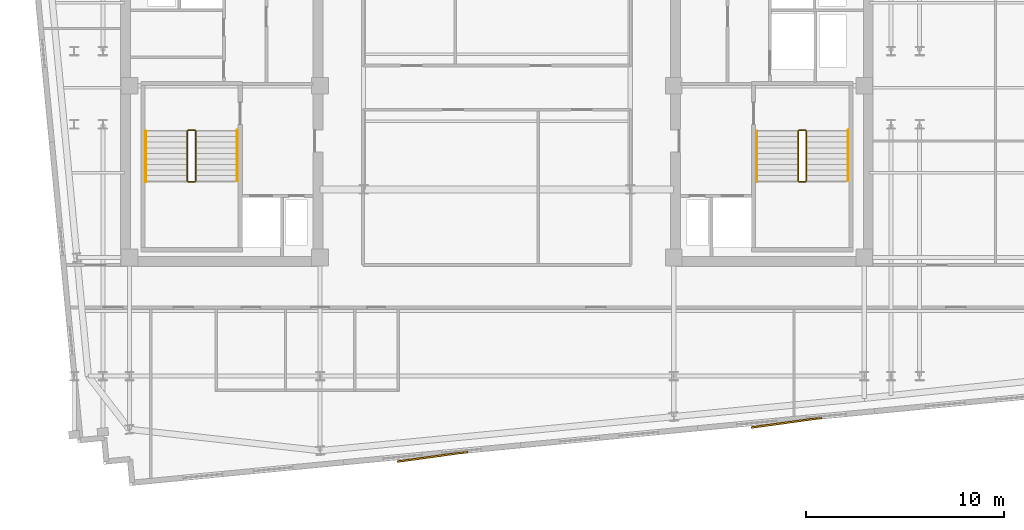
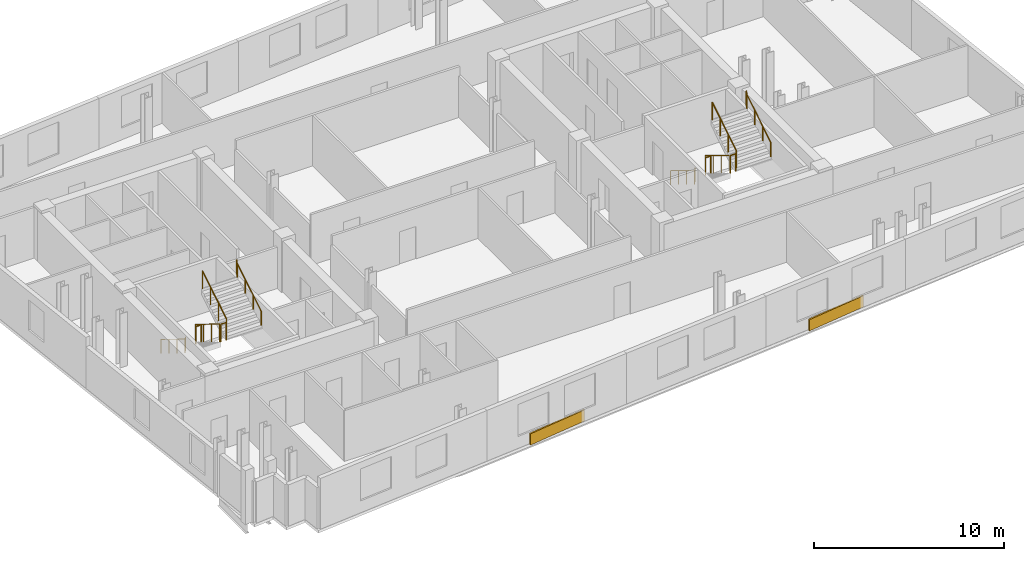
# One storey, part 7 of 8: 12 railings, 2 coverings.
"""IFC4 building model written with IfcOpenShell, lengths in metres."""

from ifc_helpers import new_model, si_unit, direction, frame, origin, origin_2d, place, context, subcontext, project, spatial, rectangle, circle, extrude, material, layer, layer_set, type_object, element, save


model = new_model("IFC4")

# Units and contexts
model_context = context("Model", 3, precision=1e-05, world=origin(), true_north=direction((0.0, 1.0)))
body_context = subcontext(model_context, "Body", "Model", "MODEL_VIEW")
ifc_project = project(units=[si_unit("LENGTHUNIT", "METRE"), si_unit("AREAUNIT", "SQUARE_METRE"), si_unit("VOLUMEUNIT", "CUBIC_METRE"), si_unit("PLANEANGLEUNIT", "RADIAN"), si_unit("MASSUNIT", "GRAM", prefix="KILO")], contexts=[model_context])

# Site, building, storey
site_placement = place(None, origin())
site = spatial("IfcSite", under=ifc_project, at=site_placement, CompositionType="ELEMENT")
building_placement = place(site_placement, origin())
building = spatial("IfcBuilding", under=site, at=building_placement, Name="Velakula Bourse", CompositionType="ELEMENT")
storey_placement = place(building_placement, frame((0.0, 0.0, 258.60009765625)))
storey = spatial("IfcBuildingStorey", under=building, at=storey_placement, Name="L70", CompositionType="ELEMENT", Elevation=258.60009765625)

# Coverings
ifc_material_1 = material(Name="Buff kilned clay facing brick masonry", Category="masonry")
ifc_layer = layer(ifc_material_1, 0.074951171875, Name="Buff kilned clay facing brick masonry", Category="masonry")
ifc_layer_set = layer_set([ifc_layer], Name="Buff kilned clay facing brick masonry")
covering_type = type_object("IfcCoveringType", Name="COV-BRK-SPN-75", PredefinedType="CLADDING", material=ifc_layer_set)
for number, where, z_axis, x_axis, name in (
    (1, (-3.26220703125, -18.68115234375, 0.0), (0.0, 0.0, 1.0), (0.990629029058, 0.136580111242, 0.0), "L70 Folded Brick Facade Cladding Panel S-B2"),
    (2, (14.655029296875, -16.955810546875, 0.0), (0.0, 0.0, 1.0), (0.990629029058, 0.136580111242, 0.0), "L70 Folded Brick Facade Cladding Panel S-B4"),
):
    element("IfcCovering", number, at=place(storey_placement, frame(where, z_axis=z_axis, x_axis=x_axis)), inside=storey, type_object=covering_type, Name=name, PredefinedType="CLADDING", context=body_context, shape_type="SweptSolid", body=[
        extrude(rectangle(XDim=3.60009765625, YDim=0.090087890625, at=origin_2d()), origin(), (0.0, 0.0, 1.0), 0.719970703125),
    ])

# Railings
ifc_material_2 = material(Name="Brushed grade 316 stainless steel", Category="steel")
railing_type_1 = type_object("IfcRailingType", Name="RLG-STAIR-GUARD-1150", PredefinedType="BALUSTRADE", material=ifc_material_2)
railing_1_placement = place(storey_placement, frame((-15.672119140625, -2.199951171875, 0.17236328125)))
element("IfcRailing", 3, at=railing_1_placement, inside=storey, type_object=railing_type_1, Name="L70 ST-W1 stair guard 1", PredefinedType="BALUSTRADE", context=body_context, shape_type="SweptSolid", body=[
    extrude(circle(Radius=0.02490234375, at=origin_2d()), frame((0.0, 0.0, 1.125), z_axis=(0.0, -0.851400495292, 0.524516154772), x_axis=(1.0, 0.0, 0.0)), (0.0, 0.0, 1.0), 2.9599609375),
    extrude(circle(Radius=0.02099609375, at=origin_2d()), origin(), (0.0, 0.0, 1.0), 1.099853515625),
    extrude(circle(Radius=0.02099609375, at=origin_2d()), frame((0.0, -0.840087890625, 0.517578125)), (0.0, 0.0, 1.0), 1.099853515625),
    extrude(circle(Radius=0.02099609375, at=origin_2d()), frame((0.0, -1.679931640625, 1.034912109375)), (0.0, 0.0, 1.0), 1.099853515625),
    extrude(circle(Radius=0.02099609375, at=origin_2d()), frame((0.0, -2.52001953125, 1.552490234375)), (0.0, 0.0, 1.0), 1.099853515625),
])
railing_2_placement = place(storey_placement, frame((-15.6220703125, -4.77001953125, 1.724853515625)))
element("IfcRailing", 4, at=railing_2_placement, inside=storey, type_object=railing_type_1, Name="L70 ST-W1 stair guard 2", PredefinedType="BALUSTRADE", context=body_context, shape_type="SweptSolid", body=[
    extrude(circle(Radius=0.02490234375, at=origin_2d()), frame((0.0, 0.0, 1.125), z_axis=(1.0, 0.0, 0.0), x_axis=(0.0, 1.0, 0.0)), (0.0, 0.0, 1.0), 0.323974609375),
    extrude(circle(Radius=0.02099609375, at=origin_2d()), origin(), (0.0, 0.0, 1.0), 1.099853515625),
    extrude(circle(Radius=0.02099609375, at=origin_2d()), frame((0.323974609375, 0.0, 0.0)), (0.0, 0.0, 1.0), 1.099853515625),
])
railing_3_placement = place(storey_placement, frame((-15.248046875, -4.719970703125, 1.8974609375)))
element("IfcRailing", 5, at=railing_3_placement, inside=storey, type_object=railing_type_1, Name="L70 ST-W1 stair guard 3", PredefinedType="BALUSTRADE", context=body_context, shape_type="SweptSolid", body=[
    extrude(circle(Radius=0.02490234375, at=origin_2d()), frame((0.0, 0.0, 1.125), z_axis=(0.0, 0.851400495292, 0.524516154772), x_axis=(-1.0, 0.0, 0.0)), (0.0, 0.0, 1.0), 2.9599609375),
    extrude(circle(Radius=0.02099609375, at=origin_2d()), origin(), (0.0, 0.0, 1.0), 1.099853515625),
    extrude(circle(Radius=0.02099609375, at=origin_2d()), frame((0.0, 0.840087890625, 0.517578125)), (0.0, 0.0, 1.0), 1.099853515625),
    extrude(circle(Radius=0.02099609375, at=origin_2d()), frame((0.0, 1.679931640625, 1.034912109375)), (0.0, 0.0, 1.0), 1.099853515625),
    extrude(circle(Radius=0.02099609375, at=origin_2d()), frame((0.0, 2.52001953125, 1.552490234375)), (0.0, 0.0, 1.0), 1.099853515625),
])
railing_4_placement = place(storey_placement, frame((-15.6220703125, -2.14990234375, 0.0)))
element("IfcRailing", 6, at=railing_4_placement, inside=storey, type_object=railing_type_1, Name="L70 ST-W1 stair guard 4", PredefinedType="BALUSTRADE", context=body_context, shape_type="SweptSolid", body=[
    extrude(circle(Radius=0.02490234375, at=origin_2d()), frame((0.0, 0.0, 1.125), z_axis=(1.0, 0.0, 0.0), x_axis=(0.0, 1.0, 0.0)), (0.0, 0.0, 1.0), 0.323974609375),
    extrude(circle(Radius=0.02099609375, at=origin_2d()), origin(), (0.0, 0.0, 1.0), 1.099853515625),
    extrude(circle(Radius=0.02099609375, at=origin_2d()), frame((0.323974609375, 0.0, 0.0)), (0.0, 0.0, 1.0), 1.099853515625),
])
railing_5_placement = place(storey_placement, frame((15.248046875, -2.199951171875, 0.17236328125)))
element("IfcRailing", 7, at=railing_5_placement, inside=storey, type_object=railing_type_1, Name="L70 ST-E1 stair guard 1", PredefinedType="BALUSTRADE", context=body_context, shape_type="SweptSolid", body=[
    extrude(circle(Radius=0.02490234375, at=origin_2d()), frame((0.0, 0.0, 1.125), z_axis=(0.0, -0.851400495292, 0.524516154772), x_axis=(1.0, 0.0, 0.0)), (0.0, 0.0, 1.0), 2.9599609375),
    extrude(circle(Radius=0.02099609375, at=origin_2d()), origin(), (0.0, 0.0, 1.0), 1.099853515625),
    extrude(circle(Radius=0.02099609375, at=origin_2d()), frame((0.0, -0.840087890625, 0.517578125)), (0.0, 0.0, 1.0), 1.099853515625),
    extrude(circle(Radius=0.02099609375, at=origin_2d()), frame((0.0, -1.679931640625, 1.034912109375)), (0.0, 0.0, 1.0), 1.099853515625),
    extrude(circle(Radius=0.02099609375, at=origin_2d()), frame((0.0, -2.52001953125, 1.552490234375)), (0.0, 0.0, 1.0), 1.099853515625),
])
railing_6_placement = place(storey_placement, frame((15.298095703125, -4.77001953125, 1.724853515625)))
element("IfcRailing", 8, at=railing_6_placement, inside=storey, type_object=railing_type_1, Name="L70 ST-E1 stair guard 2", PredefinedType="BALUSTRADE", context=body_context, shape_type="SweptSolid", body=[
    extrude(circle(Radius=0.02490234375, at=origin_2d()), frame((0.0, 0.0, 1.125), z_axis=(1.0, 0.0, 0.0), x_axis=(0.0, 1.0, 0.0)), (0.0, 0.0, 1.0), 0.323974609375),
    extrude(circle(Radius=0.02099609375, at=origin_2d()), origin(), (0.0, 0.0, 1.0), 1.099853515625),
    extrude(circle(Radius=0.02099609375, at=origin_2d()), frame((0.323974609375, 0.0, 0.0)), (0.0, 0.0, 1.0), 1.099853515625),
])
railing_7_placement = place(storey_placement, frame((15.672119140625, -4.719970703125, 1.8974609375)))
element("IfcRailing", 9, at=railing_7_placement, inside=storey, type_object=railing_type_1, Name="L70 ST-E1 stair guard 3", PredefinedType="BALUSTRADE", context=body_context, shape_type="SweptSolid", body=[
    extrude(circle(Radius=0.02490234375, at=origin_2d()), frame((0.0, 0.0, 1.125), z_axis=(0.0, 0.851400495292, 0.524516154772), x_axis=(-1.0, 0.0, 0.0)), (0.0, 0.0, 1.0), 2.9599609375),
    extrude(circle(Radius=0.02099609375, at=origin_2d()), origin(), (0.0, 0.0, 1.0), 1.099853515625),
    extrude(circle(Radius=0.02099609375, at=origin_2d()), frame((0.0, 0.840087890625, 0.517578125)), (0.0, 0.0, 1.0), 1.099853515625),
    extrude(circle(Radius=0.02099609375, at=origin_2d()), frame((0.0, 1.679931640625, 1.034912109375)), (0.0, 0.0, 1.0), 1.099853515625),
    extrude(circle(Radius=0.02099609375, at=origin_2d()), frame((0.0, 2.52001953125, 1.552490234375)), (0.0, 0.0, 1.0), 1.099853515625),
])
railing_8_placement = place(storey_placement, frame((15.298095703125, -2.14990234375, 0.0)))
element("IfcRailing", 10, at=railing_8_placement, inside=storey, type_object=railing_type_1, Name="L70 ST-E1 stair guard 4", PredefinedType="BALUSTRADE", context=body_context, shape_type="SweptSolid", body=[
    extrude(circle(Radius=0.02490234375, at=origin_2d()), frame((0.0, 0.0, 1.125), z_axis=(1.0, 0.0, 0.0), x_axis=(0.0, 1.0, 0.0)), (0.0, 0.0, 1.0), 0.323974609375),
    extrude(circle(Radius=0.02099609375, at=origin_2d()), origin(), (0.0, 0.0, 1.0), 1.099853515625),
    extrude(circle(Radius=0.02099609375, at=origin_2d()), frame((0.323974609375, 0.0, 0.0)), (0.0, 0.0, 1.0), 1.099853515625),
])
railing_type_2 = type_object("IfcRailingType", Name="RLG-STAIR-HAND-920", PredefinedType="HANDRAIL", material=ifc_material_2)
railing_9_placement = place(storey_placement, frame((-17.77001953125, -2.199951171875, 0.17236328125)))
element("IfcRailing", 11, at=railing_9_placement, inside=storey, type_object=railing_type_2, Name="L70 ST-W1 stair handrail 1", PredefinedType="HANDRAIL", context=body_context, shape_type="SweptSolid", body=[
    extrude(circle(Radius=0.02099609375, at=origin_2d()), frame((0.0, 0.0, 0.89892578125), z_axis=(0.0, -0.851400495292, 0.524516154772), x_axis=(1.0, 0.0, 0.0)), (0.0, 0.0, 1.0), 2.9599609375),
    extrude(circle(Radius=0.02099609375, at=origin_2d()), frame((0.0, -2.52001953125, 2.451416015625), z_axis=(0.0, -0.22596628056, 0.974135124123), x_axis=(1.0, 0.0, 0.0)), (0.0, 0.0, 1.0), 0.17724609375),
    extrude(circle(Radius=0.02099609375, at=origin_2d()), frame((0.0, -2.56005859375, 2.6240234375), z_axis=(0.0, -1.0, 0.0), x_axis=(1.0, 0.0, 0.0)), (0.0, 0.0, 1.0), 0.0048828125),
    extrude(circle(Radius=0.02099609375, at=origin_2d()), origin(), (0.0, 0.0, 1.0), 0.8779296875),
    extrude(circle(Radius=0.02099609375, at=origin_2d()), frame((0.0, -0.840087890625, 0.517578125)), (0.0, 0.0, 1.0), 0.8779296875),
    extrude(circle(Radius=0.02099609375, at=origin_2d()), frame((0.0, -1.679931640625, 1.034912109375)), (0.0, 0.0, 1.0), 0.8779296875),
    extrude(circle(Radius=0.02099609375, at=origin_2d()), frame((0.0, -2.52001953125, 1.552490234375)), (0.0, 0.0, 1.0), 0.8779296875),
    extrude(circle(Radius=0.02099609375, at=origin_2d()), frame((0.0, -2.56005859375, 1.72509765625)), (0.0, 0.0, 1.0), 0.8779296875),
    extrude(circle(Radius=0.02099609375, at=origin_2d()), frame((0.0, -2.56494140625, 1.72509765625)), (0.0, 0.0, 1.0), 0.8779296875),
])
railing_10_placement = place(storey_placement, frame((-13.14990234375, -4.719970703125, 1.8974609375)))
element("IfcRailing", 12, at=railing_10_placement, inside=storey, type_object=railing_type_2, Name="L70 ST-W1 stair handrail 2", PredefinedType="HANDRAIL", context=body_context, shape_type="SweptSolid", body=[
    extrude(circle(Radius=0.02099609375, at=origin_2d()), frame((0.0, 0.0, 0.89892578125), z_axis=(0.0, 0.851400495292, 0.524516154772), x_axis=(-1.0, 0.0, 0.0)), (0.0, 0.0, 1.0), 2.9599609375),
    extrude(circle(Radius=0.02099609375, at=origin_2d()), frame((0.0, 2.52001953125, 2.451416015625), z_axis=(0.0, 0.226269970362, 0.974064628509), x_axis=(-1.0, 0.0, 0.0)), (0.0, 0.0, 1.0), 0.177001953125),
    extrude(circle(Radius=0.02099609375, at=origin_2d()), frame((0.0, 2.56005859375, 2.623779296875), z_axis=(0.0, 1.0, 0.0), x_axis=(-1.0, 0.0, 0.0)), (0.0, 0.0, 1.0), 0.0048828125),
    extrude(circle(Radius=0.02099609375, at=origin_2d()), origin(), (0.0, 0.0, 1.0), 0.8779296875),
    extrude(circle(Radius=0.02099609375, at=origin_2d()), frame((0.0, 0.840087890625, 0.517578125)), (0.0, 0.0, 1.0), 0.8779296875),
    extrude(circle(Radius=0.02099609375, at=origin_2d()), frame((0.0, 1.679931640625, 1.034912109375)), (0.0, 0.0, 1.0), 0.8779296875),
    extrude(circle(Radius=0.02099609375, at=origin_2d()), frame((0.0, 2.52001953125, 1.552490234375)), (0.0, 0.0, 1.0), 0.8779296875),
    extrude(circle(Radius=0.02099609375, at=origin_2d()), frame((0.0, 2.56005859375, 1.724853515625)), (0.0, 0.0, 1.0), 0.8779296875),
    extrude(circle(Radius=0.02099609375, at=origin_2d()), frame((0.0, 2.56494140625, 1.724853515625)), (0.0, 0.0, 1.0), 0.8779296875),
])
railing_11_placement = place(storey_placement, frame((13.14990234375, -2.199951171875, 0.17236328125)))
element("IfcRailing", 13, at=railing_11_placement, inside=storey, type_object=railing_type_2, Name="L70 ST-E1 stair handrail 1", PredefinedType="HANDRAIL", context=body_context, shape_type="SweptSolid", body=[
    extrude(circle(Radius=0.02099609375, at=origin_2d()), frame((0.0, 0.0, 0.89892578125), z_axis=(0.0, -0.851400495292, 0.524516154772), x_axis=(1.0, 0.0, 0.0)), (0.0, 0.0, 1.0), 2.9599609375),
    extrude(circle(Radius=0.02099609375, at=origin_2d()), frame((0.0, -2.52001953125, 2.451416015625), z_axis=(0.0, -0.22596628056, 0.974135124123), x_axis=(1.0, 0.0, 0.0)), (0.0, 0.0, 1.0), 0.17724609375),
    extrude(circle(Radius=0.02099609375, at=origin_2d()), frame((0.0, -2.56005859375, 2.6240234375), z_axis=(0.0, -1.0, 0.0), x_axis=(1.0, 0.0, 0.0)), (0.0, 0.0, 1.0), 0.0048828125),
    extrude(circle(Radius=0.02099609375, at=origin_2d()), origin(), (0.0, 0.0, 1.0), 0.8779296875),
    extrude(circle(Radius=0.02099609375, at=origin_2d()), frame((0.0, -0.840087890625, 0.517578125)), (0.0, 0.0, 1.0), 0.8779296875),
    extrude(circle(Radius=0.02099609375, at=origin_2d()), frame((0.0, -1.679931640625, 1.034912109375)), (0.0, 0.0, 1.0), 0.8779296875),
    extrude(circle(Radius=0.02099609375, at=origin_2d()), frame((0.0, -2.52001953125, 1.552490234375)), (0.0, 0.0, 1.0), 0.8779296875),
    extrude(circle(Radius=0.02099609375, at=origin_2d()), frame((0.0, -2.56005859375, 1.72509765625)), (0.0, 0.0, 1.0), 0.8779296875),
    extrude(circle(Radius=0.02099609375, at=origin_2d()), frame((0.0, -2.56494140625, 1.72509765625)), (0.0, 0.0, 1.0), 0.8779296875),
])
railing_12_placement = place(storey_placement, frame((17.77001953125, -4.719970703125, 1.8974609375)))
element("IfcRailing", 14, at=railing_12_placement, inside=storey, type_object=railing_type_2, Name="L70 ST-E1 stair handrail 2", PredefinedType="HANDRAIL", context=body_context, shape_type="SweptSolid", body=[
    extrude(circle(Radius=0.02099609375, at=origin_2d()), frame((0.0, 0.0, 0.89892578125), z_axis=(0.0, 0.851400495292, 0.524516154772), x_axis=(-1.0, 0.0, 0.0)), (0.0, 0.0, 1.0), 2.9599609375),
    extrude(circle(Radius=0.02099609375, at=origin_2d()), frame((0.0, 2.52001953125, 2.451416015625), z_axis=(0.0, 0.226269970362, 0.974064628509), x_axis=(-1.0, 0.0, 0.0)), (0.0, 0.0, 1.0), 0.177001953125),
    extrude(circle(Radius=0.02099609375, at=origin_2d()), frame((0.0, 2.56005859375, 2.623779296875), z_axis=(0.0, 1.0, 0.0), x_axis=(-1.0, 0.0, 0.0)), (0.0, 0.0, 1.0), 0.0048828125),
    extrude(circle(Radius=0.02099609375, at=origin_2d()), origin(), (0.0, 0.0, 1.0), 0.8779296875),
    extrude(circle(Radius=0.02099609375, at=origin_2d()), frame((0.0, 0.840087890625, 0.517578125)), (0.0, 0.0, 1.0), 0.8779296875),
    extrude(circle(Radius=0.02099609375, at=origin_2d()), frame((0.0, 1.679931640625, 1.034912109375)), (0.0, 0.0, 1.0), 0.8779296875),
    extrude(circle(Radius=0.02099609375, at=origin_2d()), frame((0.0, 2.52001953125, 1.552490234375)), (0.0, 0.0, 1.0), 0.8779296875),
    extrude(circle(Radius=0.02099609375, at=origin_2d()), frame((0.0, 2.56005859375, 1.724853515625)), (0.0, 0.0, 1.0), 0.8779296875),
    extrude(circle(Radius=0.02099609375, at=origin_2d()), frame((0.0, 2.56494140625, 1.724853515625)), (0.0, 0.0, 1.0), 0.8779296875),
])

save(model, "model.ifc")
